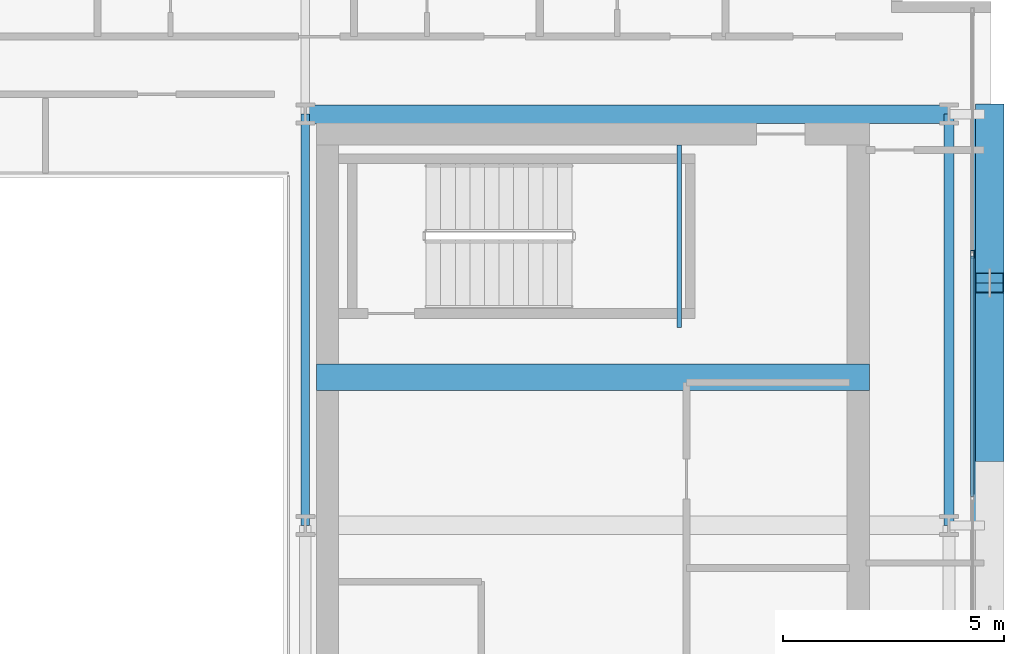
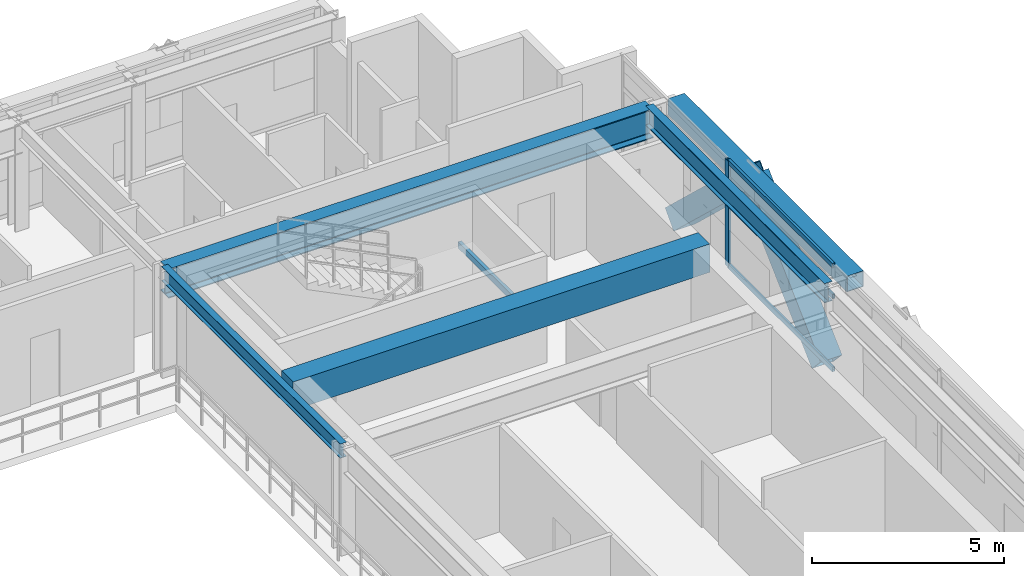
# One storey, part 14 of 31: 6 beams, 6 members, 1 element without a shape of its own.
"""IFC4 building model written with IfcOpenShell, lengths in metres."""

from ifc_helpers import new_model, si_unit, direction, frame, origin, origin_2d, place, context, subcontext, project, spatial, rectangle, hollow_rectangle, i_section, extrude, source, transform, mapped, material, layer, layer_set, material_profile, profile_set, type_object, element, aggregate, save


model = new_model("IFC4")

# Units and contexts
model_context = context("Model", 3, precision=1e-05, world=origin(), true_north=direction((0.0, 1.0)))
body_context = subcontext(model_context, "Body", "Model", "MODEL_VIEW")
ifc_project = project(units=[si_unit("LENGTHUNIT", "METRE"), si_unit("AREAUNIT", "SQUARE_METRE"), si_unit("VOLUMEUNIT", "CUBIC_METRE"), si_unit("PLANEANGLEUNIT", "RADIAN"), si_unit("MASSUNIT", "GRAM", prefix="KILO")], contexts=[model_context])

# Site, building, storey
site_placement = place(None, origin())
site = spatial("IfcSite", under=ifc_project, at=site_placement, CompositionType="ELEMENT")
building_placement = place(site_placement, origin())
building = spatial("IfcBuilding", under=site, at=building_placement, Name="Ocotamira Hotel", CompositionType="ELEMENT")
storey_placement = place(building_placement, frame((0.0, 0.0, 188.39990234375)))
storey = spatial("IfcBuildingStorey", under=building, at=storey_placement, Name="L47", CompositionType="ELEMENT", Elevation=188.39990234375)

# Beams
ifc_material_1 = material(Name="Concrete C50/60", Category="concrete")
ifc_material_profile_1 = material_profile(ifc_material_1, rectangle(XDim=0.60009765625, YDim=0.89990234375, at=origin_2d()), Name="RC600X900")
ifc_profile_set_1 = profile_set([ifc_material_profile_1], Name="Concrete C50/60")
beam_type_1 = type_object("IfcBeamType", Name="BM-LINK-RC600", PredefinedType="LINTEL", material=ifc_profile_set_1)
shared_shape_1 = source(origin(), body_context, "Body", "SweptSolid", [
    extrude(rectangle(XDim=0.60009765625, YDim=0.89990234375, at=origin_2d()), origin(), (0.0, 0.0, 1.0), 12.5),
])
beam_1_placement = place(storey_placement, frame((40.75, 31.5, 2.920166015625), z_axis=(1.0, 0.0, 0.0), x_axis=(0.0, 1.0, 0.0)))
element("IfcBeam", 1, at=beam_1_placement, inside=storey, type_object=beam_type_1, Name="L47 East Core Coupling Beam", PredefinedType="LINTEL", context=body_context, shape_type="MappedRepresentation", body=[
    mapped(shared_shape_1, transform((0.0, 0.0, 0.0), scale=1.0)),
])
ifc_material_2 = material(Name="Steel ASTM A500 Grade C", Category="steel")
ifc_material_profile_2 = material_profile(ifc_material_2, hollow_rectangle(XDim=0.10009765625, YDim=0.199951171875, WallThickness=0.008056640625, at=origin_2d()), Name="HSS200X100X8")
ifc_profile_set_2 = profile_set([ifc_material_profile_2], Name="Steel ASTM A500 Grade C")
beam_type_2 = type_object("IfcBeamType", Name="BM-STLDG-HSS200", PredefinedType="BEAM", material=ifc_profile_set_2)
shared_shape_2 = source(origin(), body_context, "Body", "SweptSolid", [
    extrude(hollow_rectangle(XDim=0.10009765625, YDim=0.199951171875, WallThickness=0.008056640625, at=origin_2d()), origin(), (0.0, 0.0, 1.0), 4.1201171875),
])
beam_2_placement = place(storey_placement, frame((48.949951171875, 32.6298828125, 1.5), z_axis=(0.0, 1.0, 0.0), x_axis=(-1.0, 0.0, 0.0)))
element("IfcBeam", 2, at=beam_2_placement, inside=storey, type_object=beam_type_2, Name="L47 Stair ST-4 Landing Bearer 1", PredefinedType="BEAM", context=body_context, shape_type="MappedRepresentation", body=[
    mapped(shared_shape_2, transform((0.0, 0.0, 0.0), scale=1.0)),
])
ifc_material_3 = material(Name="Steel ASTM A992 Grade 50", Category="steel")
ifc_material_profile_3 = material_profile(ifc_material_3, i_section(OverallWidth=0.41796875, OverallDepth=0.927001953125, WebThickness=0.019287109375, FlangeThickness=0.031982421875, FilletRadius=0.02392578125, at=origin_2d()), Name="W36X231")
ifc_profile_set_3 = profile_set([ifc_material_profile_3], Name="Steel ASTM A992 Grade 50")
beam_type_3 = type_object("IfcBeamType", Name="BM-GIRD-W36X231", PredefinedType="BEAM", material=ifc_profile_set_3)
shared_shape_3 = source(origin(), body_context, "Body", "SweptSolid", [
    extrude(i_section(OverallWidth=0.41796875, OverallDepth=0.927001953125, WebThickness=0.019287109375, FlangeThickness=0.031982421875, FilletRadius=0.02392578125, at=origin_2d()), origin(), (0.0, 0.0, 1.0), 14.550048828125),
])
beam_3_placement = place(storey_placement, frame((40.5, 37.449951171875, 2.906494140625), z_axis=(1.0, 0.0, 0.0), x_axis=(0.0, 1.0, 0.0)))
element("IfcBeam", 3, at=beam_3_placement, inside=storey, type_object=beam_type_3, Name="L47 Girder Y37.45 X40.5-55.05", PredefinedType="BEAM", context=body_context, shape_type="MappedRepresentation", body=[
    mapped(shared_shape_3, transform((0.0, 0.0, 0.0), scale=1.0)),
])
ifc_material_profile_4 = material_profile(ifc_material_3, i_section(OverallWidth=0.22998046875, OverallDepth=0.616943359375, WebThickness=0.01318359375, FlangeThickness=0.022216796875, FilletRadius=0.012939453125, at=origin_2d()), Name="W24X94")
ifc_profile_set_4 = profile_set([ifc_material_profile_4], Name="Steel ASTM A992 Grade 50")
beam_type_4 = type_object("IfcBeamType", Name="BM-PRIM-W24X94", PredefinedType="BEAM", material=ifc_profile_set_4)
shared_shape_4 = source(origin(), body_context, "Body", "SweptSolid", [
    extrude(i_section(OverallWidth=0.22998046875, OverallDepth=0.616943359375, WebThickness=0.01318359375, FlangeThickness=0.022216796875, FilletRadius=0.012939453125, at=origin_2d()), origin(), (0.0, 0.0, 1.0), 9.300048828125),
])
beam_4_placement = place(storey_placement, frame((55.050048828125, 28.14990234375, 3.0615234375), z_axis=(0.0, 1.0, 0.0), x_axis=(-1.0, 0.0, 0.0)))
element("IfcBeam", 4, at=beam_4_placement, inside=storey, type_object=beam_type_4, Name="L47 Beam X55.05 Y28.15-37.45", PredefinedType="BEAM", context=body_context, shape_type="MappedRepresentation", body=[
    mapped(shared_shape_4, transform((0.0, 0.0, 0.0), scale=1.0)),
])
ifc_material_profile_5 = material_profile(ifc_material_3, i_section(OverallWidth=0.18994140625, OverallDepth=0.45703125, WebThickness=0.009033203125, FlangeThickness=0.014404296875, FilletRadius=0.010009765625, at=origin_2d()), Name="W18X50")
ifc_profile_set_5 = profile_set([ifc_material_profile_5], Name="Steel ASTM A992 Grade 50")
beam_type_5 = type_object("IfcBeamType", Name="BM-SEC-W18X50", PredefinedType="JOIST", material=ifc_profile_set_5)
shared_shape_5 = source(origin(), body_context, "Body", "SweptSolid", [
    extrude(i_section(OverallWidth=0.18994140625, OverallDepth=0.45703125, WebThickness=0.009033203125, FlangeThickness=0.014404296875, FilletRadius=0.010009765625, at=origin_2d()), origin(), (0.0, 0.0, 1.0), 9.300048828125),
])
beam_5_placement = place(storey_placement, frame((40.5, 28.14990234375, 3.1416015625), z_axis=(0.0, 1.0, 0.0), x_axis=(-1.0, 0.0, 0.0)))
element("IfcBeam", 5, at=beam_5_placement, inside=storey, type_object=beam_type_5, Name="L47 Beam X40.5 Y28.15-37.45", PredefinedType="JOIST", context=body_context, shape_type="MappedRepresentation", body=[
    mapped(shared_shape_5, transform((0.0, 0.0, 0.0), scale=1.0)),
])
ifc_material_profile_6 = material_profile(ifc_material_2, hollow_rectangle(XDim=0.5, YDim=0.5, WallThickness=0.02001953125, at=origin_2d()), Name="HSS500X500X20")
ifc_profile_set_6 = profile_set([ifc_material_profile_6], Name="Steel ASTM A500 Grade C")
beam_type_6 = type_object("IfcBeamType", Name="BM-SPAN-HSS500", PredefinedType="USERDEFINED", material=ifc_profile_set_6)
shared_shape_6 = source(origin(), body_context, "Body", "SweptSolid", [
    extrude(hollow_rectangle(XDim=0.5, YDim=0.5, WallThickness=0.02001953125, at=origin_2d()), origin(), (0.0, 0.0, 1.0), 9.300048828125),
])
beam_6_placement = place(storey_placement, frame((55.85009765625, 28.14990234375, 3.1201171875), z_axis=(0.0, 1.0, 0.0), x_axis=(-1.0, 0.0, 0.0)))
element("IfcBeam", 6, at=beam_6_placement, inside=storey, type_object=beam_type_6, Name="L47 Edge Spandrel E Y28.15-37.45", ObjectType="SPANDREL", PredefinedType="USERDEFINED", context=body_context, shape_type="MappedRepresentation", body=[
    mapped(shared_shape_6, transform((0.0, 0.0, 0.0), scale=1.0)),
])

# Members
ifc_material_4 = material(Name="Pale-metal coated steel ASTM A913 Grade 65", Category="steel")
ifc_material_profile_7 = material_profile(ifc_material_4, hollow_rectangle(XDim=0.64990234375, YDim=0.64990234375, WallThickness=0.02197265625, at=origin_2d()), Name="BOX650X650X22")
ifc_profile_set_7 = profile_set([ifc_material_profile_7], Name="Pale-metal coated steel ASTM A913 Grade 65")
member_type_1 = type_object("IfcMemberType", Name="MEM-EXO-BOX650", PredefinedType="BRACE", material=ifc_profile_set_7)
shared_shape_7 = source(origin(), body_context, "Body", "SweptSolid", [
    extrude(hollow_rectangle(XDim=0.64990234375, YDim=0.64990234375, WallThickness=0.02197265625, at=origin_2d()), origin(), (0.0, 0.0, 1.0), 5.24658203125),
])
for number, where, z_axis, x_axis, name in (
    (7, (55.969970703125, 29.816650390625, -0.47998046875), (0.0, 0.727442733726, 0.686168397078), (-1.0, 0.0, 0.0), "L47 Exoskeleton Diagrid E2.1"),
    (8, (55.969970703125, 37.449951171875, -0.47998046875), (0.0, -0.727442733726, 0.686168397078), (1.0, 0.0, 0.0), "L47 Exoskeleton Diagrid E2.2"),
):
    element("IfcMember", number, at=place(storey_placement, frame(where, z_axis=z_axis, x_axis=x_axis)), inside=storey, type_object=member_type_1, Name=name, PredefinedType="BRACE", context=body_context, shape_type="MappedRepresentation", body=[
        mapped(shared_shape_7, transform((0.0, 0.0, 0.0), scale=1.0)),
    ])

# Curtain wall, members
ifc_material_5 = material(Name="Anodised pale-metal aluminium and solar glass", Category="aluminium")
ifc_layer = layer(ifc_material_5, 0.199951171875)
ifc_layer_set = layer_set([ifc_layer], Name="Anodised pale-metal aluminium and solar glass")
curtain_wall_type = type_object("IfcCurtainWallType", Name="CW-SYS4-Z3", PredefinedType="NOTDEFINED", material=ifc_layer_set)
curtain_wall_placement = place(storey_placement, origin())
curtain_wall = element("IfcCurtainWall", 9, at=curtain_wall_placement, inside=storey, type_object=curtain_wall_type, Name="L47 Curtain Wall CW-4 CW-L47-E", PredefinedType="NOTDEFINED")
ifc_material_6 = material(Name="Anodised pale-metal aluminium 6063-T6", Category="aluminium")
ifc_material_profile_8 = material_profile(ifc_material_6, hollow_rectangle(XDim=0.080078125, YDim=0.179931640625, WallThickness=0.006103515625, at=origin_2d()), Name="HSS180X80X6")
ifc_profile_set_8 = profile_set([ifc_material_profile_8], Name="Anodised pale-metal aluminium 6063-T6")
member_type_2 = type_object("IfcMemberType", Name="CWM-180X75", PredefinedType="MULLION", material=ifc_profile_set_8)
shared_shape_8 = source(origin(), body_context, "Body", "SweptSolid", [
    extrude(hollow_rectangle(XDim=0.080078125, YDim=0.179931640625, WallThickness=0.006103515625, at=origin_2d()), origin(), (0.0, 0.0, 1.0), 3.3701171875),
])
member_1_placement = place(storey_placement, frame((55.580078125, 34.280029296875, 0.0), z_axis=(0.0, 0.0, 1.0), x_axis=(-1.0, 0.0, 0.0)))
member_1 = element("IfcMember", 10, at=member_1_placement, type_object=member_type_2, Name="CW-4 mullion 5", PredefinedType="MULLION", context=body_context, shape_type="MappedRepresentation", body=[
    mapped(shared_shape_8, transform((0.0, 0.0, 0.0), scale=1.0)),
])
ifc_material_profile_9 = material_profile(ifc_material_6, hollow_rectangle(XDim=0.074951171875, YDim=0.14990234375, WallThickness=0.006103515625, at=origin_2d()), Name="HSS150X75X6")
ifc_profile_set_9 = profile_set([ifc_material_profile_9], Name="Anodised pale-metal aluminium 6063-T6")
member_type_3 = type_object("IfcMemberType", Name="CWT-150X75", PredefinedType="USERDEFINED", material=ifc_profile_set_9)
shared_shape_9 = source(origin(), body_context, "Body", "SweptSolid", [
    extrude(hollow_rectangle(XDim=0.074951171875, YDim=0.14990234375, WallThickness=0.006103515625, at=origin_2d()), origin(), (0.0, 0.0, 1.0), 5.43994140625),
])
member_2_placement = place(storey_placement, frame((55.580078125, 28.800048828125, 0.03759765625), z_axis=(0.0, 1.0, 0.0), x_axis=(-1.0, 0.0, 0.0)))
member_2 = element("IfcMember", 11, at=member_2_placement, type_object=member_type_3, Name="CW-4 transom 4.1", ObjectType="TRANSOM", PredefinedType="USERDEFINED", context=body_context, shape_type="MappedRepresentation", body=[
    mapped(shared_shape_9, transform((0.0, 0.0, 0.0), scale=1.0)),
])
member_3_placement = place(storey_placement, frame((55.580078125, 28.800048828125, 2.35009765625), z_axis=(0.0, 1.0, 0.0), x_axis=(-1.0, 0.0, 0.0)))
member_3 = element("IfcMember", 12, at=member_3_placement, type_object=member_type_3, Name="CW-4 transom 4.2", ObjectType="TRANSOM", PredefinedType="USERDEFINED", context=body_context, shape_type="MappedRepresentation", body=[
    mapped(shared_shape_9, transform((0.0, 0.0, 0.0), scale=1.0)),
])
member_4_placement = place(storey_placement, frame((55.580078125, 28.800048828125, 3.33251953125), z_axis=(0.0, 1.0, 0.0), x_axis=(-1.0, 0.0, 0.0)))
member_4 = element("IfcMember", 13, at=member_4_placement, type_object=member_type_3, Name="CW-4 transom 4.3", ObjectType="TRANSOM", PredefinedType="USERDEFINED", context=body_context, shape_type="MappedRepresentation", body=[
    mapped(shared_shape_9, transform((0.0, 0.0, 0.0), scale=1.0)),
])
aggregate(curtain_wall, [member_1, member_2, member_3, member_4])

save(model, "model.ifc")
